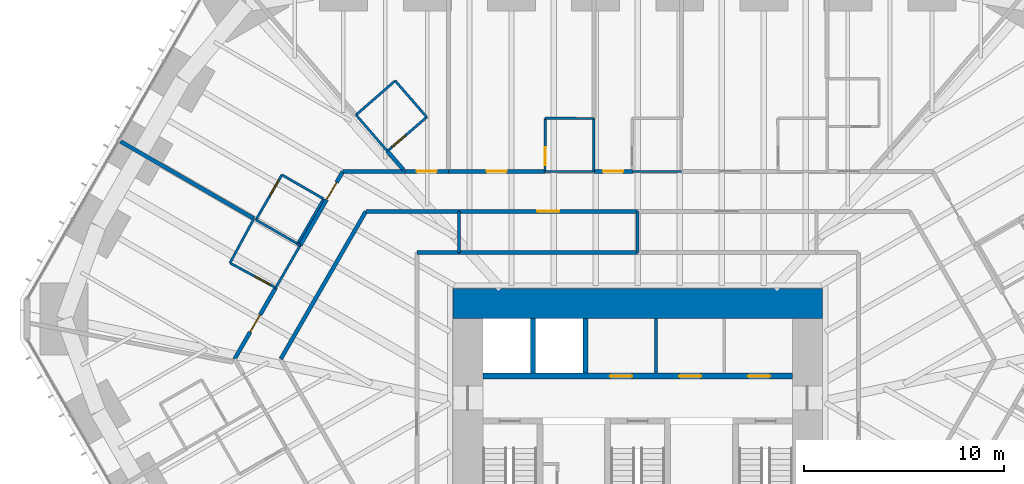
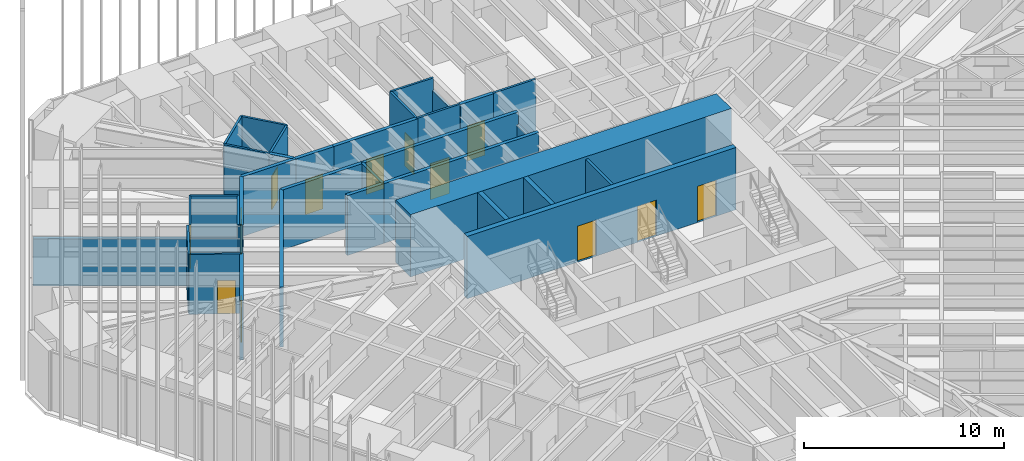
# One storey, part 253 of 256: 37 walls, 13 doors, 13 openings.
"""IFC4 building model written with IfcOpenShell, lengths in metres."""

from ifc_helpers import new_model, si_unit, direction, frame, frame_2d, origin, place, context, subcontext, project, spatial, rectangle, extrude, material, layer, layer_set, type_object, element, fill, save


model = new_model("IFC4")

# Units and contexts
model_context = context("Model", 3, precision=1e-05, world=origin(), true_north=direction((0.0, 1.0)))
body_context = subcontext(model_context, "Body", "Model", "MODEL_VIEW")
ifc_project = project(units=[si_unit("LENGTHUNIT", "METRE"), si_unit("AREAUNIT", "SQUARE_METRE"), si_unit("VOLUMEUNIT", "CUBIC_METRE"), si_unit("PLANEANGLEUNIT", "RADIAN"), si_unit("MASSUNIT", "GRAM", prefix="KILO")], contexts=[model_context])

# Site, building, storey
site_placement = place(None, origin())
site = spatial("IfcSite", under=ifc_project, at=site_placement, CompositionType="ELEMENT")
building_placement = place(site_placement, origin())
building = spatial("IfcBuilding", under=site, at=building_placement, Name="Sandreach Pilgrim Tower", CompositionType="ELEMENT")
storey_placement = place(building_placement, frame((0.0, 0.0, 23.0)))
storey = spatial("IfcBuildingStorey", under=building, at=storey_placement, Name="L04", CompositionType="ELEMENT", Elevation=23.0)

# Walls
ifc_material_1 = material(Name="Gypsum board on steel studs", Category="steel")
ifc_layer_1 = layer(ifc_material_1, 0.14990234375)
ifc_layer_set_1 = layer_set([ifc_layer_1], Name="Back of house wall 150")
wall_type_1 = type_object("IfcWallType", Name="Back of house wall 150", PredefinedType="PARTITIONING", material=ifc_layer_set_1)
wall_1_placement = place(storey_placement, frame((-8.93994140625, 11.449951171875, 0.0), z_axis=(0.0, 0.0, 1.0), x_axis=(0.0, -1.0, 0.0)))
element("IfcWall", 1, at=wall_1_placement, inside=storey, type_object=wall_type_1, Name="Back of house wall L04-056", PredefinedType="PARTITIONING", context=body_context, shape_type="SweptSolid", body=[
    extrude(rectangle(XDim=2.050048828125, YDim=0.14990234375, at=frame_2d((1.02490234375, 0.0))), origin(), (0.0, 0.0, 1.0), 3.639892578125),
])
wall_2_placement = place(storey_placement, frame((0.0, 11.449951171875, 0.0), z_axis=(0.0, 0.0, 1.0), x_axis=(0.0, -1.0, 0.0)))
element("IfcWall", 2, at=wall_2_placement, inside=storey, type_object=wall_type_1, Name="Back of house wall L04-085", PredefinedType="PARTITIONING", context=body_context, shape_type="SweptSolid", body=[
    extrude(rectangle(XDim=2.050048828125, YDim=0.14990234375, at=frame_2d((1.02490234375, 0.0))), origin(), (0.0, 0.0, 1.0), 2.8779296875),
])
wall_3_placement = place(storey_placement, frame((0.916748046875, 3.35009765625, 0.0), z_axis=(0.0, 0.0, 1.0), x_axis=(0.0, 1.0, 0.0)))
element("IfcWall", 3, at=wall_3_placement, inside=storey, type_object=wall_type_1, Name="Core room partition L04 1", PredefinedType="PARTITIONING", context=body_context, shape_type="SweptSolid", body=[
    extrude(rectangle(XDim=2.75, YDim=0.14990234375, at=frame_2d((1.375, 0.0))), origin(), (0.0, 0.0, 1.0), 3.639892578125),
])

# Wall, opening, door
ifc_material_2 = material(Name="Moisture-resistant gypsum board on steel studs", Category="steel")
ifc_layer_2 = layer(ifc_material_2, 0.1201171875)
ifc_layer_set_2 = layer_set([ifc_layer_2], Name="Bathroom partition 120")
wall_type_2 = type_object("IfcWallType", Name="Bathroom partition 120", PredefinedType="PARTITIONING", material=ifc_layer_set_2)
wall_4_placement = place(storey_placement, frame((-20.409912109375, 8.8701171875, 0.0), z_axis=(0.0, 0.0, 1.0), x_axis=(0.879324680711, -0.476222748189, 0.0)))
wall_4 = element("IfcWall", 4, at=wall_4_placement, inside=storey, type_object=wall_type_2, Name="Bathroom partition L04-012", PredefinedType="PARTITIONING", context=body_context, shape_type="SweptSolid", body=[
    extrude(rectangle(XDim=2.604248046875, YDim=0.1201171875, at=frame_2d((1.30224609375, 0.0))), origin(), (0.0, 0.0, 1.0), 3.639892578125),
])
opening_1_placement = place(wall_4_placement, frame((1.404296875, 0.0, 0.0)))
opening_1 = element("IfcOpeningElement", 5, at=opening_1_placement, cuts=wall_4, Name="Opening D09-20B", PredefinedType="OPENING", context=body_context, shape_type="SweptSolid", body=[
    extrude(rectangle(XDim=0.89990234375, YDim=2.030029296875, at=frame_2d((0.449951171875, 1.01513671875))), frame((0.0, 0.06005859375, 0.0), z_axis=(0.0, -1.0, 0.0), x_axis=(1.0, 0.0, 0.0)), (0.0, 0.0, 1.0), 0.1201171875),
])
ifc_material_3 = material(Name="Timber door, steel frame", Category="steel")
door_type_1 = type_object("IfcDoorType", Name="Bathroom door", OperationType="SINGLE_SWING_LEFT", PredefinedType="DOOR", material=ifc_material_3)
door_1_placement = place(opening_1_placement, origin())
door_1 = element("IfcDoor", 6, at=door_1_placement, inside=storey, type_object=door_type_1, Name="Door 0420B", OperationType="SINGLE_SWING_RIGHT", OverallHeight=2.030029296875, OverallWidth=0.89990234375, PredefinedType="DOOR", context=body_context, shape_type="SweptSolid", body=[
    extrude(rectangle(XDim=0.89990234375, YDim=2.030029296875, at=frame_2d((0.449951171875, 1.01513671875))), frame((0.0, 0.02490234375, 0.0), z_axis=(0.0, -1.0, 0.0), x_axis=(1.0, 0.0, 0.0)), (0.0, 0.0, 1.0), 0.050048828125),
])
fill(opening_1, door_1)

# Walls
wall_5_placement = place(storey_placement, frame((-19.2099609375, 11.090087890625, 0.0), z_axis=(0.0, 0.0, 1.0), x_axis=(-0.475466449919, -0.879733854641, 0.0)))
element("IfcWall", 7, at=wall_5_placement, inside=storey, type_object=wall_type_2, Name="Bathroom partition L04-018", PredefinedType="PARTITIONING", context=body_context, shape_type="SweptSolid", body=[
    extrude(rectangle(XDim=2.523681640625, YDim=0.1201171875, at=frame_2d((1.26171875, 0.0))), origin(), (0.0, 0.0, 1.0), 3.639892578125),
])
wall_6_placement = place(storey_placement, frame((-19.110107421875, 11.030029296875, 0.0), z_axis=(0.0, 0.0, 1.0), x_axis=(0.866202511239, -0.499693115345, 0.0)))
element("IfcWall", 8, at=wall_6_placement, inside=storey, type_object=wall_type_2, Name="Bathroom partition L04-019", PredefinedType="PARTITIONING", context=body_context, shape_type="SweptSolid", body=[
    extrude(rectangle(XDim=2.4013671875, YDim=0.1201171875, at=frame_2d((1.20068359375, 0.0))), origin(), (0.0, 0.0, 1.0), 2.860107421875),
])
wall_7_placement = place(storey_placement, frame((-18.11962890625, 7.629638671875, 0.0), z_axis=(0.0, 0.0, 1.0), x_axis=(0.499957770222, 0.866049783786, 0.0)))
element("IfcWall", 9, at=wall_7_placement, inside=storey, type_object=wall_type_2, Name="Bathroom partition L04-021", PredefinedType="PARTITIONING", context=body_context, shape_type="SweptSolid", body=[
    extrude(rectangle(XDim=2.454833984375, YDim=0.1201171875, at=frame_2d((1.2275390625, 0.0))), origin(), (0.0, 0.0, 1.0), 3.639892578125),
])

# Wall, opening, door
wall_8_placement = place(storey_placement, frame((-17.81005859375, 13.280029296875, 0.0), z_axis=(0.0, 0.0, 1.0), x_axis=(-0.500291685314, -0.865856933682, 0.0)))
wall_8 = element("IfcWall", 10, at=wall_8_placement, inside=storey, type_object=wall_type_2, Name="Bathroom partition L04-023", PredefinedType="PARTITIONING", context=body_context, shape_type="SweptSolid", body=[
    extrude(rectangle(XDim=2.5986328125, YDim=0.1201171875, at=frame_2d((1.29931640625, 0.0))), origin(), (0.0, 0.0, 1.0), 3.639892578125),
])
opening_2_placement = place(wall_8_placement, frame((0.300048828125, 0.0, 0.0)))
opening_2 = element("IfcOpeningElement", 11, at=opening_2_placement, cuts=wall_8, Name="Opening D09-21B", PredefinedType="OPENING", context=body_context, shape_type="SweptSolid", body=[
    extrude(rectangle(XDim=0.89990234375, YDim=2.030029296875, at=frame_2d((0.449951171875, 1.01513671875))), frame((0.0, 0.06005859375, 0.0), z_axis=(0.0, -1.0, 0.0), x_axis=(1.0, 0.0, 0.0)), (0.0, 0.0, 1.0), 0.1201171875),
])
door_2_placement = place(opening_2_placement, origin())
door_2 = element("IfcDoor", 12, at=door_2_placement, inside=storey, type_object=door_type_1, Name="Door 0421B", OperationType="SINGLE_SWING_LEFT", OverallHeight=2.030029296875, OverallWidth=0.89990234375, PredefinedType="DOOR", context=body_context, shape_type="SweptSolid", body=[
    extrude(rectangle(XDim=0.89990234375, YDim=2.030029296875, at=frame_2d((0.449951171875, 1.01513671875))), frame((0.0, 0.02490234375, 0.0), z_axis=(0.0, -1.0, 0.0), x_axis=(1.0, 0.0, 0.0)), (0.0, 0.0, 1.0), 0.050048828125),
])
fill(opening_2, door_2)

# Walls
wall_9_placement = place(storey_placement, frame((-17.030029296875, 9.830078125, 0.0), z_axis=(0.0, 0.0, 1.0), x_axis=(0.880098986228, -0.47479024257, 0.0)))
element("IfcWall", 13, at=wall_9_placement, inside=storey, type_object=wall_type_2, Name="Bathroom partition L04-025", PredefinedType="PARTITIONING", context=body_context, shape_type="SweptSolid", body=[
    extrude(rectangle(XDim=0.1474609375, YDim=0.1201171875, at=frame_2d((0.07373046875, 0.0))), origin(), (0.0, 0.0, 1.0), 3.639892578125),
])
wall_10_placement = place(storey_placement, frame((-17.030029296875, 9.830078125, 0.0), z_axis=(0.0, 0.0, 1.0), x_axis=(0.500291685314, 0.865856933682, 0.0)))
element("IfcWall", 14, at=wall_10_placement, inside=storey, type_object=wall_type_2, Name="Bathroom partition L04-026", PredefinedType="PARTITIONING", context=body_context, shape_type="SweptSolid", body=[
    extrude(rectangle(XDim=2.5986328125, YDim=0.1201171875, at=frame_2d((1.29931640625, 0.0))), origin(), (0.0, 0.0, 1.0), 3.639892578125),
])
wall_11_placement = place(storey_placement, frame((-15.72998046875, 12.080078125, 0.0), z_axis=(0.0, 0.0, 1.0), x_axis=(-0.866202511239, 0.499693115345, 0.0)))
element("IfcWall", 15, at=wall_11_placement, inside=storey, type_object=wall_type_2, Name="Bathroom partition L04-030", PredefinedType="PARTITIONING", context=body_context, shape_type="SweptSolid", body=[
    extrude(rectangle(XDim=2.4013671875, YDim=0.1201171875, at=frame_2d((1.20068359375, 0.0))), origin(), (0.0, 0.0, 1.0), 3.639892578125),
])
wall_12_placement = place(storey_placement, frame((-14.101318359375, 16.27880859375, 0.0), z_axis=(0.0, 0.0, 1.0), x_axis=(0.654868469202, -0.755742871647, 0.0)))
element("IfcWall", 16, at=wall_12_placement, inside=storey, type_object=wall_type_2, Name="Bathroom partition L04-036", PredefinedType="PARTITIONING", context=body_context, shape_type="SweptSolid", body=[
    extrude(rectangle(XDim=2.39599609375, YDim=0.1201171875, at=frame_2d((1.197998046875, 0.0))), origin(), (0.0, 0.0, 1.0), 3.639892578125),
])

# Wall, opening, door
wall_13_placement = place(storey_placement, frame((-12.530029296875, 14.469970703125, 0.0), z_axis=(0.0, 0.0, 1.0), x_axis=(0.757086659925, 0.653314464377, 0.0)))
wall_13 = element("IfcWall", 17, at=wall_13_placement, inside=storey, type_object=wall_type_2, Name="Bathroom partition L04-042", PredefinedType="PARTITIONING", context=body_context, shape_type="SweptSolid", body=[
    extrude(rectangle(XDim=2.60205078125, YDim=0.1201171875, at=frame_2d((1.301025390625, 0.0))), origin(), (0.0, 0.0, 1.0), 3.639892578125),
])
opening_3_placement = place(wall_13_placement, frame((0.300048828125, 0.0, 0.0)))
opening_3 = element("IfcOpeningElement", 18, at=opening_3_placement, cuts=wall_13, Name="Opening D09-01B", PredefinedType="OPENING", context=body_context, shape_type="SweptSolid", body=[
    extrude(rectangle(XDim=0.89990234375, YDim=2.030029296875, at=frame_2d((0.449951171875, 1.01513671875))), frame((0.0, 0.06005859375, 0.0), z_axis=(0.0, -1.0, 0.0), x_axis=(1.0, 0.0, 0.0)), (0.0, 0.0, 1.0), 0.1201171875),
])
door_3_placement = place(opening_3_placement, origin())
door_3 = element("IfcDoor", 19, at=door_3_placement, inside=storey, type_object=door_type_1, Name="Door 0401B", OperationType="SINGLE_SWING_LEFT", OverallHeight=2.030029296875, OverallWidth=0.89990234375, PredefinedType="DOOR", context=body_context, shape_type="SweptSolid", body=[
    extrude(rectangle(XDim=0.89990234375, YDim=2.030029296875, at=frame_2d((0.449951171875, 1.01513671875))), frame((0.0, 0.02490234375, 0.0), z_axis=(0.0, -1.0, 0.0), x_axis=(1.0, 0.0, 0.0)), (0.0, 0.0, 1.0), 0.050048828125),
])
fill(opening_3, door_3)

# Walls
wall_14_placement = place(storey_placement, frame((-12.139892578125, 17.989990234375, 0.0), z_axis=(0.0, 0.0, 1.0), x_axis=(-0.753570046386, -0.657367617996, 0.0)))
element("IfcWall", 20, at=wall_14_placement, inside=storey, type_object=wall_type_2, Name="Bathroom partition L04-044", PredefinedType="PARTITIONING", context=body_context, shape_type="SweptSolid", body=[
    extrude(rectangle(XDim=2.601318359375, YDim=0.1201171875, at=frame_2d((1.30078125, 0.0))), origin(), (0.0, 0.0, 1.0), 3.639892578125),
])
wall_15_placement = place(storey_placement, frame((-10.56005859375, 16.169921875, 0.0), z_axis=(0.0, 0.0, 1.0), x_axis=(-0.65550883331, 0.755187506155, 0.0)))
element("IfcWall", 21, at=wall_15_placement, inside=storey, type_object=wall_type_2, Name="Bathroom partition L04-049", PredefinedType="PARTITIONING", context=body_context, shape_type="SweptSolid", body=[
    extrude(rectangle(XDim=2.41015625, YDim=0.1201171875, at=frame_2d((1.205078125, 0.0))), origin(), (0.0, 0.0, 1.0), 3.639892578125),
])

# Wall, opening, door
wall_16_placement = place(storey_placement, frame((-4.6298828125, 16.110107421875, 0.0), z_axis=(0.0, 0.0, 1.0), x_axis=(-0.003762822113, -0.99999292056, 0.0)))
wall_16 = element("IfcWall", 22, at=wall_16_placement, inside=storey, type_object=wall_type_2, Name="Bathroom partition L04-065", PredefinedType="PARTITIONING", context=body_context, shape_type="SweptSolid", body=[
    extrude(rectangle(XDim=2.66015625, YDim=0.1201171875, at=frame_2d((1.330078125, 0.0))), origin(), (0.0, 0.0, 1.0), 3.639892578125),
])
opening_4_placement = place(wall_16_placement, frame((1.4599609375, 0.0, 0.0)))
opening_4 = element("IfcOpeningElement", 23, at=opening_4_placement, cuts=wall_16, Name="Opening D09-02B", PredefinedType="OPENING", context=body_context, shape_type="SweptSolid", body=[
    extrude(rectangle(XDim=0.89990234375, YDim=2.030029296875, at=frame_2d((0.449951171875, 1.01513671875))), frame((0.0, 0.06005859375, 0.0), z_axis=(0.0, -1.0, 0.0), x_axis=(1.0, 0.0, 0.0)), (0.0, 0.0, 1.0), 0.1201171875),
])
door_4_placement = place(opening_4_placement, origin())
door_4 = element("IfcDoor", 24, at=door_4_placement, inside=storey, type_object=door_type_1, Name="Door 0402B", OperationType="SINGLE_SWING_RIGHT", OverallHeight=2.030029296875, OverallWidth=0.89990234375, PredefinedType="DOOR", context=body_context, shape_type="SweptSolid", body=[
    extrude(rectangle(XDim=0.89990234375, YDim=2.030029296875, at=frame_2d((0.449951171875, 1.01513671875))), frame((0.0, 0.02490234375, 0.0), z_axis=(0.0, -1.0, 0.0), x_axis=(1.0, 0.0, 0.0)), (0.0, 0.0, 1.0), 0.050048828125),
])
fill(opening_4, door_4)

# Walls
wall_17_placement = place(storey_placement, frame((-2.18994140625, 13.449951171875, 0.0), z_axis=(0.0, 0.0, 1.0), x_axis=(-1.0, 0.0, 0.0)))
element("IfcWall", 25, at=wall_17_placement, inside=storey, type_object=wall_type_2, Name="Bathroom partition L04-071", PredefinedType="PARTITIONING", context=body_context, shape_type="SweptSolid", body=[
    extrude(rectangle(XDim=2.449951171875, YDim=0.1201171875, at=frame_2d((1.22509765625, 0.0))), origin(), (0.0, 0.0, 1.0), 3.639892578125),
])
wall_18_placement = place(storey_placement, frame((-2.18994140625, 16.10009765625, 0.0), z_axis=(0.0, 0.0, 1.0), x_axis=(-0.999991585011, 0.004102426955, 0.0)))
element("IfcWall", 26, at=wall_18_placement, inside=storey, type_object=wall_type_2, Name="Bathroom partition L04-072", PredefinedType="PARTITIONING", context=body_context, shape_type="SweptSolid", body=[
    extrude(rectangle(XDim=2.43994140625, YDim=0.1201171875, at=frame_2d((1.219970703125, 0.0))), origin(), (0.0, 0.0, 1.0), 3.639892578125),
])
wall_19_placement = place(storey_placement, frame((-2.18994140625, 16.10009765625, 0.0), z_axis=(0.0, 0.0, 1.0), x_axis=(0.0, -1.0, 0.0)))
element("IfcWall", 27, at=wall_19_placement, inside=storey, type_object=wall_type_2, Name="Bathroom partition L04-073", PredefinedType="PARTITIONING", context=body_context, shape_type="SweptSolid", body=[
    extrude(rectangle(XDim=2.650146484375, YDim=0.1201171875, at=frame_2d((1.3251953125, 0.0))), origin(), (0.0, 0.0, 1.0), 2.8779296875),
])
wall_20_placement = place(storey_placement, frame((2.18994140625, 13.449951171875, 0.0), z_axis=(0.0, 0.0, 1.0), x_axis=(-1.0, 0.0, 0.0)))
element("IfcWall", 28, at=wall_20_placement, inside=storey, type_object=wall_type_2, Name="Bathroom partition L04-089", PredefinedType="PARTITIONING", context=body_context, shape_type="SweptSolid", body=[
    extrude(rectangle(XDim=2.4599609375, YDim=0.1201171875, at=frame_2d((1.22998046875, 0.0))), origin(), (0.0, 0.0, 1.0), 3.639892578125),
])

# Wall, openings, doors
ifc_material_4 = material(Name="Concrete 10000 psi", Category="concrete")
ifc_layer_3 = layer(ifc_material_4, 0.300048828125)
ifc_layer_set_3 = layer_set([ifc_layer_3], Name="Core inner wall 300")
wall_type_3 = type_object("IfcWallType", Name="Core inner wall 300", PredefinedType="SHEAR", material=ifc_layer_set_3)
wall_21_placement = place(storey_placement, frame((-7.75, 3.199951171875, 0.0), z_axis=(0.0, 0.0, 1.0), x_axis=(1.0, 0.0, 0.0)))
wall_21 = element("IfcWall", 29, at=wall_21_placement, inside=storey, type_object=wall_type_3, Name="Core wall PN L04", PredefinedType="SHEAR", context=body_context, shape_type="SweptSolid", body=[
    extrude(rectangle(XDim=15.5, YDim=0.300048828125, at=frame_2d((7.75, 0.0))), origin(), (0.0, 0.0, 1.0), 3.800048828125),
])
opening_5_placement = place(wall_21_placement, frame((6.370849609375, 0.0, 0.0)))
opening_5 = element("IfcOpeningElement", 30, at=opening_5_placement, cuts=wall_21, Name="Opening D11L", PredefinedType="OPENING", context=body_context, shape_type="SweptSolid", body=[
    extrude(rectangle(XDim=1.10009765625, YDim=2.199951171875, at=frame_2d((0.550048828125, 1.10009765625))), frame((0.0, 0.14990234375, 0.0), z_axis=(0.0, -1.0, 0.0), x_axis=(1.0, 0.0, 0.0)), (0.0, 0.0, 1.0), 0.300048828125),
])
opening_6_placement = place(wall_21_placement, frame((9.824951171875, 0.0, 0.0)))
opening_6 = element("IfcOpeningElement", 31, at=opening_6_placement, cuts=wall_21, Name="Opening D11L", PredefinedType="OPENING", context=body_context, shape_type="SweptSolid", body=[
    extrude(rectangle(XDim=1.10009765625, YDim=2.199951171875, at=frame_2d((0.550048828125, 1.10009765625))), frame((0.0, 0.14990234375, 0.0), z_axis=(0.0, -1.0, 0.0), x_axis=(1.0, 0.0, 0.0)), (0.0, 0.0, 1.0), 0.300048828125),
])
opening_7_placement = place(wall_21_placement, frame((13.279052734375, 0.0, 0.0)))
opening_7 = element("IfcOpeningElement", 32, at=opening_7_placement, cuts=wall_21, Name="Opening D11L", PredefinedType="OPENING", context=body_context, shape_type="SweptSolid", body=[
    extrude(rectangle(XDim=1.10009765625, YDim=2.199951171875, at=frame_2d((0.550048828125, 1.10009765625))), frame((0.0, 0.14990234375, 0.0), z_axis=(0.0, -1.0, 0.0), x_axis=(1.0, 0.0, 0.0)), (0.0, 0.0, 1.0), 0.300048828125),
])
ifc_material_5 = material(Name="Steel door and frame, smoke seals", Category="steel")
door_type_2 = type_object("IfcDoorType", Name="Core room door", OperationType="SINGLE_SWING_LEFT", PredefinedType="DOOR", material=ifc_material_5)
door_5_placement = place(opening_5_placement, origin())
door_5 = element("IfcDoor", 33, at=door_5_placement, inside=storey, type_object=door_type_2, Name="Door linen and housekeeping store 04K1", OperationType="SINGLE_SWING_LEFT", OverallHeight=2.199951171875, OverallWidth=1.10009765625, PredefinedType="DOOR", context=body_context, shape_type="SweptSolid", body=[
    extrude(rectangle(XDim=1.10009765625, YDim=2.199951171875, at=frame_2d((0.550048828125, 1.10009765625))), frame((0.0, 0.02490234375, 0.0), z_axis=(0.0, -1.0, 0.0), x_axis=(1.0, 0.0, 0.0)), (0.0, 0.0, 1.0), 0.050048828125),
])
fill(opening_5, door_5)
door_6_placement = place(opening_6_placement, origin())
door_6 = element("IfcDoor", 34, at=door_6_placement, inside=storey, type_object=door_type_2, Name="Door cleaners store 04K2", OperationType="SINGLE_SWING_RIGHT", OverallHeight=2.199951171875, OverallWidth=1.10009765625, PredefinedType="DOOR", context=body_context, shape_type="SweptSolid", body=[
    extrude(rectangle(XDim=1.10009765625, YDim=2.199951171875, at=frame_2d((0.550048828125, 1.10009765625))), frame((0.0, 0.02490234375, 0.0), z_axis=(0.0, -1.0, 0.0), x_axis=(1.0, 0.0, 0.0)), (0.0, 0.0, 1.0), 0.050048828125),
])
fill(opening_6, door_6)
door_7_placement = place(opening_7_placement, origin())
door_7 = element("IfcDoor", 35, at=door_7_placement, inside=storey, type_object=door_type_2, Name="Door storage room 04K3", OperationType="SINGLE_SWING_RIGHT", OverallHeight=2.199951171875, OverallWidth=1.10009765625, PredefinedType="DOOR", context=body_context, shape_type="SweptSolid", body=[
    extrude(rectangle(XDim=1.10009765625, YDim=2.199951171875, at=frame_2d((0.550048828125, 1.10009765625))), frame((0.0, 0.02490234375, 0.0), z_axis=(0.0, -1.0, 0.0), x_axis=(1.0, 0.0, 0.0)), (0.0, 0.0, 1.0), 0.050048828125),
])
fill(opening_7, door_7)

# Wall
ifc_material_6 = material(Name="Concrete 10000 psi", Category="concrete")
ifc_layer_4 = layer(ifc_material_6, 1.5)
ifc_layer_set_4 = layer_set([ifc_layer_4], Name="Core wall 1500")
wall_type_4 = type_object("IfcWallType", Name="Core wall 1500", PredefinedType="SHEAR", material=ifc_layer_set_4)
wall_22_placement = place(storey_placement, frame((-9.25, 6.85009765625, 0.0), z_axis=(0.0, 0.0, 1.0), x_axis=(1.0, 0.0, 0.0)))
element("IfcWall", 36, at=wall_22_placement, inside=storey, type_object=wall_type_4, Name="Core wall N L04", PredefinedType="SHEAR", context=body_context, shape_type="SweptSolid", body=[
    extrude(rectangle(XDim=18.5, YDim=1.5, at=frame_2d((9.25, 0.0))), origin(), (0.0, 0.0, 1.0), 3.800048828125),
])

# Wall, opening, door
ifc_material_7 = material(Name="Gypsum board on steel studs, two layers each side", Category="steel")
ifc_layer_5 = layer(ifc_material_7, 0.199951171875)
ifc_layer_set_5 = layer_set([ifc_layer_5], Name="Corridor wall 200")
wall_type_5 = type_object("IfcWallType", Name="Corridor wall 200", PredefinedType="PARTITIONING", material=ifc_layer_set_5)
wall_23_placement = place(storey_placement, frame((-20.179931640625, 4.06005859375, 0.0), z_axis=(0.0, 0.0, 1.0), x_axis=(0.499891670567, 0.866087938779, 0.0)))
wall_23 = element("IfcWall", 37, at=wall_23_placement, inside=storey, type_object=wall_type_5, Name="Corridor wall L04-015", PredefinedType="PARTITIONING", context=body_context, shape_type="SweptSolid", body=[
    extrude(rectangle(XDim=4.12158203125, YDim=0.199951171875, at=frame_2d((2.060791015625, 0.0))), origin(), (0.0, 0.0, 1.0), 3.639892578125),
])
opening_8_placement = place(wall_23_placement, frame((1.560791015625, 0.0, 0.0)))
opening_8 = element("IfcOpeningElement", 38, at=opening_8_placement, cuts=wall_23, Name="Opening D10-20", PredefinedType="OPENING", context=body_context, shape_type="SweptSolid", body=[
    extrude(rectangle(XDim=1.0, YDim=2.1298828125, at=frame_2d((0.5, 1.06494140625))), frame((0.0, 0.10009765625, 0.0), z_axis=(0.0, -1.0, 0.0), x_axis=(1.0, 0.0, 0.0)), (0.0, 0.0, 1.0), 0.199951171875),
])
ifc_material_8 = material(Name="Steel door and frame", Category="steel")
door_type_3 = type_object("IfcDoorType", Name="Guest room entry door", OperationType="SINGLE_SWING_LEFT", PredefinedType="DOOR", material=ifc_material_8)
door_8_placement = place(opening_8_placement, origin())
door_8 = element("IfcDoor", 39, at=door_8_placement, inside=storey, type_object=door_type_3, Name="Door 0420", OperationType="SINGLE_SWING_LEFT", OverallHeight=2.1298828125, OverallWidth=1.0, PredefinedType="DOOR", context=body_context, shape_type="SweptSolid", body=[
    extrude(rectangle(XDim=1.0, YDim=2.1298828125, at=frame_2d((0.5, 1.06494140625))), frame((0.0, 0.02490234375, 0.0), z_axis=(0.0, -1.0, 0.0), x_axis=(1.0, 0.0, 0.0)), (0.0, 0.0, 1.0), 0.050048828125),
])
fill(opening_8, door_8)

# Wall
wall_24_placement = place(storey_placement, frame((-17.8701171875, 4.06005859375, 0.0), z_axis=(0.0, 0.0, 1.0), x_axis=(0.499424260127, 0.866357552282, 0.0)))
element("IfcWall", 40, at=wall_24_placement, inside=storey, type_object=wall_type_5, Name="Corridor wall L04-022", PredefinedType="PARTITIONING", context=body_context, shape_type="SweptSolid", body=[
    extrude(rectangle(XDim=8.52978515625, YDim=0.199951171875, at=frame_2d((4.264892578125, 0.0))), origin(), (0.0, 0.0, 1.0), 3.639892578125),
])

# Wall, opening, door
wall_25_placement = place(storey_placement, frame((-16.892333984375, 9.755615234375, 0.0), z_axis=(0.0, 0.0, 1.0), x_axis=(0.499894213467, 0.866086471054, 0.0)))
wall_25 = element("IfcWall", 41, at=wall_25_placement, inside=storey, type_object=wall_type_5, Name="Corridor wall L04-027", PredefinedType="PARTITIONING", context=body_context, shape_type="SweptSolid", body=[
    extrude(rectangle(XDim=4.265625, YDim=0.199951171875, at=frame_2d((2.1328125, 0.0))), origin(), (0.0, 0.0, 1.0), 3.639892578125),
])
opening_9_placement = place(wall_25_placement, frame((2.6328125, 0.0, 0.0)))
opening_9 = element("IfcOpeningElement", 42, at=opening_9_placement, cuts=wall_25, Name="Opening D10-21", PredefinedType="OPENING", context=body_context, shape_type="SweptSolid", body=[
    extrude(rectangle(XDim=1.0, YDim=2.1298828125, at=frame_2d((0.5, 1.06494140625))), frame((0.0, 0.10009765625, 0.0), z_axis=(0.0, -1.0, 0.0), x_axis=(1.0, 0.0, 0.0)), (0.0, 0.0, 1.0), 0.199951171875),
])
door_9_placement = place(opening_9_placement, origin())
door_9 = element("IfcDoor", 43, at=door_9_placement, inside=storey, type_object=door_type_3, Name="Door 0421", OperationType="SINGLE_SWING_RIGHT", OverallHeight=2.1298828125, OverallWidth=1.0, PredefinedType="DOOR", context=body_context, shape_type="SweptSolid", body=[
    extrude(rectangle(XDim=1.0, YDim=2.1298828125, at=frame_2d((0.5, 1.06494140625))), frame((0.0, 0.02490234375, 0.0), z_axis=(0.0, -1.0, 0.0), x_axis=(1.0, 0.0, 0.0)), (0.0, 0.0, 1.0), 0.050048828125),
])
fill(opening_9, door_9)

# Walls
wall_26_placement = place(storey_placement, frame((-13.610107421875, 11.449951171875, 0.0), z_axis=(0.0, 0.0, 1.0), x_axis=(1.0, 0.0, 0.0)))
element("IfcWall", 44, at=wall_26_placement, inside=storey, type_object=wall_type_5, Name="Corridor wall L04-037", PredefinedType="PARTITIONING", context=body_context, shape_type="SweptSolid", body=[
    extrude(rectangle(XDim=4.670166015625, YDim=0.199951171875, at=frame_2d((2.3349609375, 0.0))), origin(), (0.0, 0.0, 1.0), 3.639892578125),
])
wall_27_placement = place(storey_placement, frame((-11.64990234375, 13.449951171875, 0.0), z_axis=(0.0, 0.0, 1.0), x_axis=(-1.0, 0.0, 0.0)))
element("IfcWall", 45, at=wall_27_placement, inside=storey, type_object=wall_type_5, Name="Corridor wall L04-045", PredefinedType="PARTITIONING", context=body_context, shape_type="SweptSolid", body=[
    extrude(rectangle(XDim=3.110107421875, YDim=0.199951171875, at=frame_2d((1.55517578125, 0.0))), origin(), (0.0, 0.0, 1.0), 3.639892578125),
])

# Wall, opening, door
wall_28_placement = place(storey_placement, frame((-9.47998046875, 13.449951171875, 0.0), z_axis=(0.0, 0.0, 1.0), x_axis=(-1.0, 0.0, 0.0)))
wall_28 = element("IfcWall", 46, at=wall_28_placement, inside=storey, type_object=wall_type_5, Name="Corridor wall L04-053", PredefinedType="PARTITIONING", context=body_context, shape_type="SweptSolid", body=[
    extrude(rectangle(XDim=2.169921875, YDim=0.199951171875, at=frame_2d((1.0849609375, 0.0))), origin(), (0.0, 0.0, 1.0), 3.639892578125),
])
opening_10_placement = place(wall_28_placement, frame((0.5849609375, 0.0, 0.0)))
opening_10 = element("IfcOpeningElement", 47, at=opening_10_placement, cuts=wall_28, Name="Opening D10-01", PredefinedType="OPENING", context=body_context, shape_type="SweptSolid", body=[
    extrude(rectangle(XDim=1.0, YDim=2.1298828125, at=frame_2d((0.5, 1.06494140625))), frame((0.0, 0.10009765625, 0.0), z_axis=(0.0, -1.0, 0.0), x_axis=(1.0, 0.0, 0.0)), (0.0, 0.0, 1.0), 0.199951171875),
])
door_10_placement = place(opening_10_placement, origin())
door_10 = element("IfcDoor", 48, at=door_10_placement, inside=storey, type_object=door_type_3, Name="Door 0401", OperationType="SINGLE_SWING_LEFT", OverallHeight=2.1298828125, OverallWidth=1.0, PredefinedType="DOOR", context=body_context, shape_type="SweptSolid", body=[
    extrude(rectangle(XDim=1.0, YDim=2.1298828125, at=frame_2d((0.5, 1.06494140625))), frame((0.0, 0.02490234375, 0.0), z_axis=(0.0, -1.0, 0.0), x_axis=(1.0, 0.0, 0.0)), (0.0, 0.0, 1.0), 0.050048828125),
])
fill(opening_10, door_10)

# Wall
wall_29_placement = place(storey_placement, frame((-8.93994140625, 9.39990234375, 0.0), z_axis=(0.0, 0.0, 1.0), x_axis=(-1.0, 0.0, 0.0)))
element("IfcWall", 49, at=wall_29_placement, inside=storey, type_object=wall_type_5, Name="Corridor wall L04-055", PredefinedType="PARTITIONING", context=body_context, shape_type="SweptSolid", body=[
    extrude(rectangle(XDim=2.10009765625, YDim=0.199951171875, at=frame_2d((1.050048828125, 0.0))), origin(), (0.0, 0.0, 1.0), 3.639892578125),
])

# Wall, opening, door
wall_30_placement = place(storey_placement, frame((-8.93994140625, 11.449951171875, 0.0), z_axis=(0.0, 0.0, 1.0), x_axis=(1.0, 0.0, 0.0)))
wall_30 = element("IfcWall", 50, at=wall_30_placement, inside=storey, type_object=wall_type_5, Name="Corridor wall L04-057", PredefinedType="PARTITIONING", context=body_context, shape_type="SweptSolid", body=[
    extrude(rectangle(XDim=8.93994140625, YDim=0.199951171875, at=frame_2d((4.469970703125, 0.0))), origin(), (0.0, 0.0, 1.0), 3.639892578125),
])
opening_11_placement = place(wall_30_placement, frame((3.919921875, 0.0, 0.0)))
opening_11 = element("IfcOpeningElement", 51, at=opening_11_placement, cuts=wall_30, Name="Opening D11H-M02", PredefinedType="OPENING", context=body_context, shape_type="SweptSolid", body=[
    extrude(rectangle(XDim=1.10009765625, YDim=2.199951171875, at=frame_2d((0.550048828125, 1.10009765625))), frame((0.0, 0.10009765625, 0.0), z_axis=(0.0, -1.0, 0.0), x_axis=(1.0, 0.0, 0.0)), (0.0, 0.0, 1.0), 0.199951171875),
])
ifc_material_9 = material(Name="Steel door and frame", Category="steel")
door_type_4 = type_object("IfcDoorType", Name="Back of house door", OperationType="SINGLE_SWING_LEFT", PredefinedType="DOOR", material=ifc_material_9)
door_11_placement = place(opening_11_placement, origin())
door_11 = element("IfcDoor", 52, at=door_11_placement, inside=storey, type_object=door_type_4, Name="Door 04M02", OperationType="SINGLE_SWING_LEFT", OverallHeight=2.199951171875, OverallWidth=1.10009765625, PredefinedType="DOOR", context=body_context, shape_type="SweptSolid", body=[
    extrude(rectangle(XDim=1.10009765625, YDim=2.199951171875, at=frame_2d((0.550048828125, 1.10009765625))), frame((0.0, 0.02490234375, 0.0), z_axis=(0.0, -1.0, 0.0), x_axis=(1.0, 0.0, 0.0)), (0.0, 0.0, 1.0), 0.050048828125),
])
fill(opening_11, door_11)

wall_31_placement = place(storey_placement, frame((-4.639892578125, 13.449951171875, 0.0), z_axis=(0.0, 0.0, 1.0), x_axis=(-1.0, 0.0, 0.0)))
wall_31 = element("IfcWall", 53, at=wall_31_placement, inside=storey, type_object=wall_type_5, Name="Corridor wall L04-064", PredefinedType="PARTITIONING", context=body_context, shape_type="SweptSolid", body=[
    extrude(rectangle(XDim=4.840087890625, YDim=0.199951171875, at=frame_2d((2.419921875, 0.0))), origin(), (0.0, 0.0, 1.0), 3.639892578125),
])
opening_12_placement = place(wall_31_placement, frame((1.919921875, 0.0, 0.0)))
opening_12 = element("IfcOpeningElement", 54, at=opening_12_placement, cuts=wall_31, Name="Opening D10-02", PredefinedType="OPENING", context=body_context, shape_type="SweptSolid", body=[
    extrude(rectangle(XDim=1.0, YDim=2.1298828125, at=frame_2d((0.5, 1.06494140625))), frame((0.0, 0.10009765625, 0.0), z_axis=(0.0, -1.0, 0.0), x_axis=(1.0, 0.0, 0.0)), (0.0, 0.0, 1.0), 0.199951171875),
])
door_12_placement = place(opening_12_placement, origin())
door_12 = element("IfcDoor", 55, at=door_12_placement, inside=storey, type_object=door_type_3, Name="Door 0402", OperationType="SINGLE_SWING_LEFT", OverallHeight=2.1298828125, OverallWidth=1.0, PredefinedType="DOOR", context=body_context, shape_type="SweptSolid", body=[
    extrude(rectangle(XDim=1.0, YDim=2.1298828125, at=frame_2d((0.5, 1.06494140625))), frame((0.0, 0.02490234375, 0.0), z_axis=(0.0, -1.0, 0.0), x_axis=(1.0, 0.0, 0.0)), (0.0, 0.0, 1.0), 0.050048828125),
])
fill(opening_12, door_12)

wall_32_placement = place(storey_placement, frame((-0.27001953125, 13.449951171875, 0.0), z_axis=(0.0, 0.0, 1.0), x_axis=(-1.0, 0.0, 0.0)))
wall_32 = element("IfcWall", 56, at=wall_32_placement, inside=storey, type_object=wall_type_5, Name="Corridor wall L04-075", PredefinedType="PARTITIONING", context=body_context, shape_type="SweptSolid", body=[
    extrude(rectangle(XDim=1.919921875, YDim=0.199951171875, at=frame_2d((0.9599609375, 0.0))), origin(), (0.0, 0.0, 1.0), 3.639892578125),
])
opening_13_placement = place(wall_32_placement, frame((0.4599609375, 0.0, 0.0)))
opening_13 = element("IfcOpeningElement", 57, at=opening_13_placement, cuts=wall_32, Name="Opening D10-03", PredefinedType="OPENING", context=body_context, shape_type="SweptSolid", body=[
    extrude(rectangle(XDim=1.0, YDim=2.1298828125, at=frame_2d((0.5, 1.06494140625))), frame((0.0, 0.10009765625, 0.0), z_axis=(0.0, -1.0, 0.0), x_axis=(1.0, 0.0, 0.0)), (0.0, 0.0, 1.0), 0.199951171875),
])
door_13_placement = place(opening_13_placement, origin())
door_13 = element("IfcDoor", 58, at=door_13_placement, inside=storey, type_object=door_type_3, Name="Door 0403", OperationType="SINGLE_SWING_LEFT", OverallHeight=2.1298828125, OverallWidth=1.0, PredefinedType="DOOR", context=body_context, shape_type="SweptSolid", body=[
    extrude(rectangle(XDim=1.0, YDim=2.1298828125, at=frame_2d((0.5, 1.06494140625))), frame((0.0, 0.02490234375, 0.0), z_axis=(0.0, -1.0, 0.0), x_axis=(1.0, 0.0, 0.0)), (0.0, 0.0, 1.0), 0.050048828125),
])
fill(opening_13, door_13)

# Walls
wall_33_placement = place(storey_placement, frame((0.0, 9.39990234375, 0.0), z_axis=(0.0, 0.0, 1.0), x_axis=(-1.0, 0.0, 0.0)))
element("IfcWall", 59, at=wall_33_placement, inside=storey, type_object=wall_type_5, Name="Corridor wall L04-084", PredefinedType="PARTITIONING", context=body_context, shape_type="SweptSolid", body=[
    extrude(rectangle(XDim=8.93994140625, YDim=0.199951171875, at=frame_2d((4.469970703125, 0.0))), origin(), (0.0, 0.0, 1.0), 3.639892578125),
])
ifc_material_10 = material(Name="Double steel stud acoustic wall, gypsum board", Category="steel")
ifc_layer_6 = layer(ifc_material_10, 0.199951171875)
ifc_layer_set_6 = layer_set([ifc_layer_6], Name="Party wall 200")
wall_type_6 = type_object("IfcWallType", Name="Party wall 200", PredefinedType="PARTITIONING", material=ifc_layer_set_6)
wall_34_placement = place(storey_placement, frame((-25.88623046875, 14.949951171875, 0.0), z_axis=(0.0, 0.0, 1.0), x_axis=(0.865726686167, -0.50051703753, 0.0)))
element("IfcWall", 60, at=wall_34_placement, inside=storey, type_object=wall_type_6, Name="Party wall L04-003", PredefinedType="PARTITIONING", context=body_context, shape_type="SweptSolid", body=[
    extrude(rectangle(XDim=7.711669921875, YDim=0.199951171875, at=frame_2d((3.85595703125, 0.0))), origin(), (0.0, 0.0, 1.0), 2.860107421875),
])
wall_35_placement = place(storey_placement, frame((-12.5322265625, 14.468017578125, 0.0), z_axis=(0.0, 0.0, 1.0), x_axis=(0.654877937884, -0.755734666714, 0.0)))
element("IfcWall", 61, at=wall_35_placement, inside=storey, type_object=wall_type_6, Name="Party wall L04-041", PredefinedType="PARTITIONING", context=body_context, shape_type="SweptSolid", body=[
    extrude(rectangle(XDim=1.237060546875, YDim=0.199951171875, at=frame_2d((0.61865234375, 0.0))), origin(), (0.0, 0.0, 1.0), 3.639892578125),
])
ifc_material_11 = material(Name="Gypsum shaft wall on steel studs, two layers of shaft liner board", Category="steel")
ifc_layer_7 = layer(ifc_material_11, 0.25)
ifc_layer_set_7 = layer_set([ifc_layer_7], Name="Shaft partition 250")
wall_type_7 = type_object("IfcWallType", Name="Shaft partition 250", PredefinedType="PARTITIONING", material=ifc_layer_set_7)
for number, where, z_axis, x_axis, name in (
    (62, (-5.25, 3.35009765625, 0.0), (0.0, 0.0, 1.0), (0.0, 1.0, 0.0), "Shaft partition NS0 L04"),
    (63, (-2.625, 3.35009765625, 0.0), (0.0, 0.0, 1.0), (0.0, 1.0, 0.0), "Shaft partition NS1 L04"),
):
    element("IfcWall", number, at=place(storey_placement, frame(where, z_axis=z_axis, x_axis=x_axis)), inside=storey, type_object=wall_type_7, Name=name, PredefinedType="PARTITIONING", context=body_context, shape_type="SweptSolid", body=[
        extrude(rectangle(XDim=2.75, YDim=0.25, at=frame_2d((1.375, 0.0))), origin(), (0.0, 0.0, 1.0), 3.800048828125),
    ])

save(model, "model.ifc")
